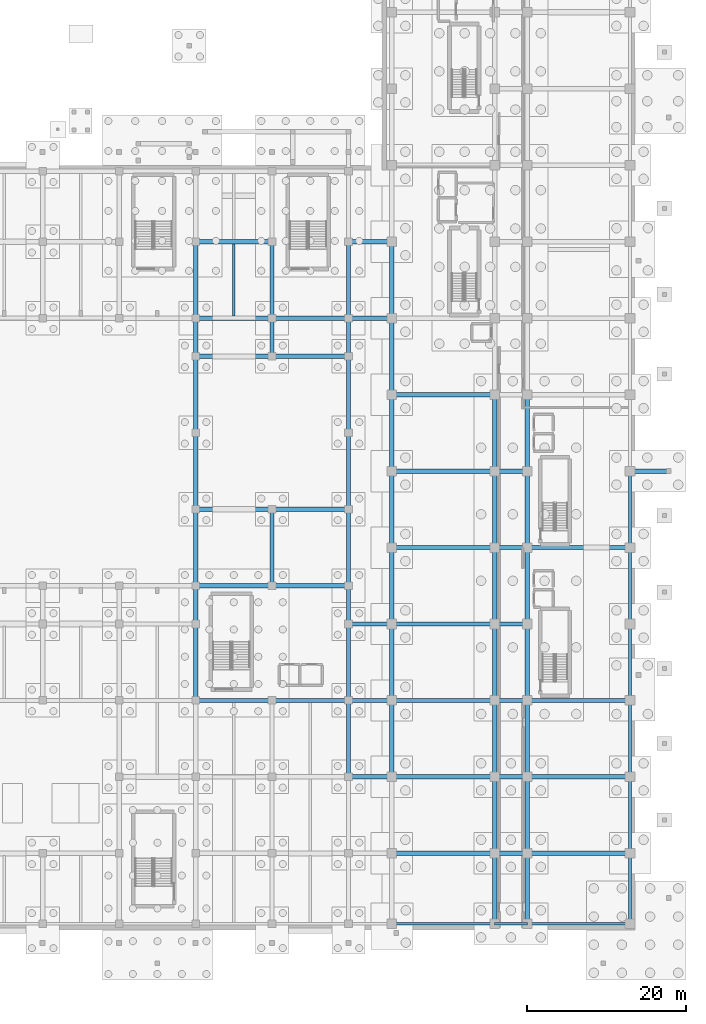
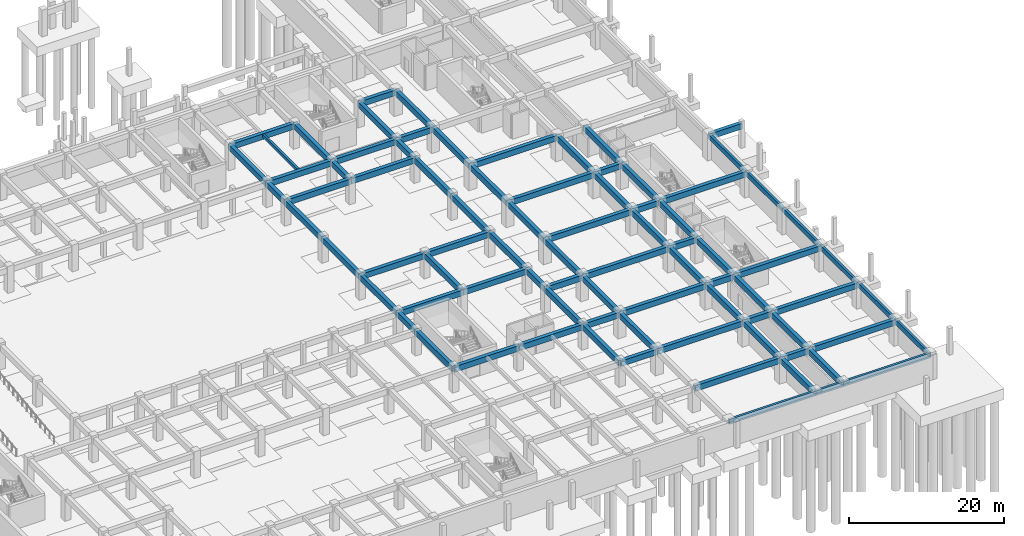
# One storey, part 13 of 39: 83 beams.
"""IFC4 building model written with IfcOpenShell, lengths in metres."""

import ifcopenshell
import ifcopenshell.guid

model = None  # the IFC model being written
_history = None  # IfcOwnerHistory: only IFC2X3 demands one
_inside = {}  # id of a spatial element -> (the spatial element, [elements in it])
_under = {}  # id of a project, library or spatial element -> (it, [spatial elements below it])
_declared = {}  # id of a project -> (the project, [libraries it declares])
_typed = {}  # id of a type object -> (the type object, [elements of that type])
_made_of = {}  # id of a material, layer set ... -> (it, [elements and type objects made of it])


def new_model(schema):
    """Start an empty IFC model of exactly this schema.

    Asked for "IFC4X3", IfcOpenShell would pick the latest addendum, in which some entities
    have other attributes; the version numbers below select the first issue.
    IFC2X3 requires an IfcOwnerHistory on every rooted entity: one is made here for all.
    """
    global model, _history
    if schema == "IFC4X3":
        model = ifcopenshell.file(schema_version=(4, 3, 0, 0))
    else:
        model = ifcopenshell.file(schema=schema)
    _inside.clear()
    _under.clear()
    _declared.clear()
    _typed.clear()
    _made_of.clear()
    _history = None
    if model.schema == "IFC2X3":
        org = make("IfcOrganization", Name="unknown")
        user = make(
            "IfcPersonAndOrganization",
            ThePerson=make("IfcPerson", FamilyName="unknown"),
            TheOrganization=org,
        )
        app = make(
            "IfcApplication",
            ApplicationDeveloper=org,
            Version="unknown",
            ApplicationFullName="unknown",
            ApplicationIdentifier="unknown",
        )
        _history = make(
            "IfcOwnerHistory",
            OwningUser=user,
            OwningApplication=app,
            ChangeAction="ADDED",
            CreationDate=0,
        )
    return model


def make(cls, **values):
    """One entity of the class cls with the attributes given. An attribute that is None is left unset."""
    return model.create_entity(
        cls, **{name: value for name, value in values.items() if value is not None}
    )


def rooted(cls, **values):
    """An entity with a GlobalId (a new one), such as an element, a storey or a relation."""
    return make(cls, GlobalId=ifcopenshell.guid.new(), OwnerHistory=_history, **values)


def si_unit(unit_type, name, prefix=None):
    """IfcSIUnit, for example si_unit("LENGTHUNIT", "METRE", prefix="MILLI")."""
    return make("IfcSIUnit", UnitType=unit_type, Prefix=prefix, Name=name)


def assignment(units):
    """IfcUnitAssignment: the units of a project."""
    return None if units is None else make("IfcUnitAssignment", Units=units)


def point(xyz):
    """IfcCartesianPoint."""
    return None if xyz is None else make("IfcCartesianPoint", Coordinates=xyz)


def direction(xyz):
    """IfcDirection."""
    return None if xyz is None else make("IfcDirection", DirectionRatios=xyz)


def frame(location, z_axis=None, x_axis=None):
    """IfcAxis2Placement3D, a coordinate frame: its origin and axes. An axis left out is left unset."""
    return make(
        "IfcAxis2Placement3D",
        Location=point(location),
        Axis=direction(z_axis),
        RefDirection=direction(x_axis),
    )


def frame_2d(location, x_axis=None):
    """IfcAxis2Placement2D, a coordinate frame in the plane: its origin and x axis."""
    return make(
        "IfcAxis2Placement2D", Location=point(location), RefDirection=direction(x_axis)
    )


def origin():
    """The frame at (0, 0, 0) with its axes left unset."""
    return frame((0.0, 0.0, 0.0))


def origin_2d():
    """The frame at (0, 0) in the plane with its x axis left unset."""
    return frame_2d((0.0, 0.0))


def place(relative_to, where):
    """IfcLocalPlacement: puts the frame where relative to a parent placement (None: the world)."""
    return make(
        "IfcLocalPlacement", PlacementRelTo=relative_to, RelativePlacement=where
    )


def context(
    kind, dimensions, precision=None, world=None, true_north=None, identifier=None
):
    """IfcGeometricRepresentationContext, for example the 3D "Model" context."""
    return make(
        "IfcGeometricRepresentationContext",
        ContextIdentifier=identifier,
        ContextType=kind,
        CoordinateSpaceDimension=dimensions,
        Precision=precision,
        WorldCoordinateSystem=world,
        TrueNorth=true_north,
    )


def subcontext(parent, identifier, kind, view, scale=None):
    """IfcGeometricRepresentationSubContext, for example "Body" below "Model"."""
    return make(
        "IfcGeometricRepresentationSubContext",
        ContextIdentifier=identifier,
        ContextType=kind,
        ParentContext=parent,
        TargetScale=scale,
        TargetView=view,
    )


def project(units=None, contexts=None):
    """IfcProject with its units and contexts."""
    return rooted(
        "IfcProject",
        Name="project",
        RepresentationContexts=contexts,
        UnitsInContext=assignment(units),
    )


def spatial(cls, under=None, at=None, **own):
    """A site, building, storey or space (cls), placed at a placement, below another one or the project."""
    s = rooted(cls, ObjectPlacement=at, **own)
    if under is not None:
        _under.setdefault(under.id(), (under, []))[1].append(s)
    return s


def profile(cls, at=None, kind="AREA", **sizes):
    """A parametric profile (cls). Its sizes go by their IFC names, for example OverallWidth=200.0."""
    return make(cls, ProfileType=kind, Position=at, **sizes)


def rectangle(**sizes):
    """IfcRectangleProfileDef."""
    return profile("IfcRectangleProfileDef", **sizes)


def extrude(swept, where, along, depth):
    """IfcExtrudedAreaSolid: the profile swept, set in the frame where, extruded along a direction by depth."""
    return make(
        "IfcExtrudedAreaSolid",
        SweptArea=swept,
        Position=where,
        ExtrudedDirection=direction(along),
        Depth=depth,
    )


def shape(context_of_items, identifier, shape_type, items):
    """IfcShapeRepresentation: the items that make up one representation, for example the "Body"."""
    return make(
        "IfcShapeRepresentation",
        ContextOfItems=context_of_items,
        RepresentationIdentifier=identifier,
        RepresentationType=shape_type,
        Items=items,
    )


def material(Name=None, Category=None):
    """IfcMaterial."""
    return make("IfcMaterial", Name=Name, Category=Category)


def material_profile(
    of_material, cross_section, Name=None, Category=None, Priority=None
):
    """IfcMaterialProfile: a cross section and its material."""
    return make(
        "IfcMaterialProfile",
        Name=Name,
        Material=of_material,
        Profile=cross_section,
        Priority=Priority,
        Category=Category,
    )


def profile_set(profiles, Name=None, composite=None):
    """IfcMaterialProfileSet."""
    return make(
        "IfcMaterialProfileSet",
        Name=Name,
        MaterialProfiles=profiles,
        CompositeProfile=composite,
    )


def made_of(thing, what):
    """Note that an element or type object is made of a material, layer set ...; save() writes the relation."""
    if what is not None:
        _made_of.setdefault(what.id(), (what, []))[1].append(thing)
    return thing


def type_object(cls, material=None, **own):
    """A type object (cls), such as IfcWallType, which elements share."""
    return made_of(rooted(cls, **own), material)


def element(
    cls,
    number,
    at=None,
    inside=None,
    cuts=None,
    type_object=None,
    material=None,
    context=None,
    identifier="Body",
    shape_type=None,
    held_by="IfcProductDefinitionShape",
    body=None,
    shapes=None,
    **own,
):
    """One element of the class cls, such as IfcWall. Its Tag is "e" and its number.

    at: its placement. inside: the storey or other place that contains it. cuts: it is an
    opening in that element (IfcRelVoidsElement). A single representation is given by context,
    identifier, shape_type and body (its items); several are given by shapes. held_by: the class
    of the entity that holds the representations. save() writes the other relations.
    """
    e = rooted(cls, Tag="e%d" % number, ObjectPlacement=at, **own)
    if body is not None:
        shapes = [shape(context, identifier, shape_type, body)]
    if shapes is not None:
        e.Representation = make(held_by, Representations=shapes)
    if inside is not None:
        _inside.setdefault(inside.id(), (inside, []))[1].append(e)
    if cuts is not None:
        rooted(
            "IfcRelVoidsElement", RelatingBuildingElement=cuts, RelatedOpeningElement=e
        )
    if type_object is not None:
        _typed.setdefault(type_object.id(), (type_object, []))[1].append(e)
    return made_of(e, material)


def aggregate(whole, parts):
    """IfcRelAggregates: a whole, such as a stair, and the parts it consists of."""
    return rooted("IfcRelAggregates", RelatingObject=whole, RelatedObjects=parts)


def save(model, path):
    """Write the relations noted so far, then the file.

    IfcRelAggregates (storeys below a building ...), IfcRelContainedInSpatialStructure (elements
    in a storey), IfcRelDefinesByType, IfcRelAssociatesMaterial and IfcRelDeclares: one each for
    every whole, place, type object, material and project.
    """
    for whole, parts in _under.values():
        aggregate(whole, parts)
    for where, things in _inside.values():
        rooted(
            "IfcRelContainedInSpatialStructure",
            RelatedElements=things,
            RelatingStructure=where,
        )
    for kind, things in _typed.values():
        rooted("IfcRelDefinesByType", RelatedObjects=things, RelatingType=kind)
    for what, things in _made_of.values():
        rooted("IfcRelAssociatesMaterial", RelatedObjects=things, RelatingMaterial=what)
    for by, libraries in _declared.values():
        rooted("IfcRelDeclares", RelatingContext=by, RelatedDefinitions=libraries)
    model.write(path)


model = new_model("IFC4")

# Units and contexts
model_context = context("Model", 3, precision=1e-05, world=origin(), true_north=direction((0.0, 1.0)))
body_context = subcontext(model_context, "Body", "Model", "MODEL_VIEW")
ifc_project = project(units=[si_unit("LENGTHUNIT", "METRE"), si_unit("AREAUNIT", "SQUARE_METRE"), si_unit("VOLUMEUNIT", "CUBIC_METRE"), si_unit("PLANEANGLEUNIT", "RADIAN"), si_unit("MASSUNIT", "GRAM", prefix="KILO")], contexts=[model_context])

# Site, building, storey
site_placement = place(None, origin())
site = spatial("IfcSite", under=ifc_project, at=site_placement, CompositionType="ELEMENT")
building_placement = place(site_placement, origin())
building = spatial("IfcBuilding", under=site, at=building_placement, Name="Nakhvara Creek Congress Hotel", CompositionType="ELEMENT")
storey_placement = place(building_placement, frame((0.0, 0.0, -8.39990234375)))
storey = spatial("IfcBuildingStorey", under=building, at=storey_placement, Name="B2", CompositionType="ELEMENT", Elevation=-8.39990234375)

# Beams
ifc_material_1 = material(Name="Concrete C40/50", Category="concrete")
ifc_material_profile_1 = material_profile(ifc_material_1, rectangle(XDim=0.300048828125, YDim=0.5, at=origin_2d()), Name="RC-BM 300x500", Category="LoadBearing")
ifc_profile_set_1 = profile_set([ifc_material_profile_1], Name="Concrete C40/50")
beam_type_1 = type_object("IfcBeamType", Name="BM-JST-300X500", PredefinedType="JOIST", material=ifc_profile_set_1)
beam_1_placement = place(storey_placement, frame((129.60009765625, 77.074951171875, 3.60986328125), z_axis=(0.0, 1.0, 0.0), x_axis=(-1.0, 0.0, 0.0)))
element("IfcBeam", 1, at=beam_1_placement, inside=storey, type_object=beam_type_1, Name="Secondary Joist BJ1-B2-0359", PredefinedType="JOIST", context=body_context, shape_type="SweptSolid", body=[
    extrude(rectangle(XDim=0.300048828125, YDim=0.5, at=origin_2d()), origin(), (0.0, 0.0, 1.0), 9.050048828125),
])
ifc_material_2 = material(Name="Concrete C50/60", Category="concrete")
ifc_material_profile_2 = material_profile(ifc_material_2, rectangle(XDim=0.550048828125, YDim=0.8798828125, at=origin_2d()), Name="RC-BM 550x880", Category="LoadBearing")
ifc_profile_set_2 = profile_set([ifc_material_profile_2], Name="Concrete C50/60")
beam_type_2 = type_object("IfcBeamType", Name="BM-RC-550X880", PredefinedType="BEAM", material=ifc_profile_set_2)
for number, where, z_axis, x_axis, name in (
    (2, (124.800048828125, 28.800048828125, 3.419921875), (0.0, 1.0, 0.0), (-1.0, 0.0, 0.0), "Beam B15-B2-0184"),
    (3, (124.800048828125, 28.800048828125, 3.419921875), (1.0, 0.0, 0.0), (0.0, 1.0, 0.0), "Beam B15-B2-0185"),
):
    element("IfcBeam", number, at=place(storey_placement, frame(where, z_axis=z_axis, x_axis=x_axis)), inside=storey, type_object=beam_type_2, Name=name, PredefinedType="BEAM", context=body_context, shape_type="SweptSolid", body=[
        extrude(rectangle(XDim=0.550048828125, YDim=0.8798828125, at=origin_2d()), origin(), (0.0, 0.0, 1.0), 9.599853515625),
    ])
beam_2_placement = place(storey_placement, frame((124.800048828125, 38.39990234375, 3.419921875), z_axis=(0.0, 1.0, 0.0), x_axis=(-1.0, 0.0, 0.0)))
element("IfcBeam", 4, at=beam_2_placement, inside=storey, type_object=beam_type_2, Name="Beam B15-B2-0186", PredefinedType="BEAM", context=body_context, shape_type="SweptSolid", body=[
    extrude(rectangle(XDim=0.550048828125, YDim=0.8798828125, at=origin_2d()), origin(), (0.0, 0.0, 1.0), 4.800048828125),
])
beam_3_placement = place(storey_placement, frame((124.800048828125, 43.199951171875, 3.419921875), z_axis=(0.0, 1.0, 0.0), x_axis=(-1.0, 0.0, 0.0)))
element("IfcBeam", 5, at=beam_3_placement, inside=storey, type_object=beam_type_2, Name="Beam B15-B2-0187", PredefinedType="BEAM", context=body_context, shape_type="SweptSolid", body=[
    extrude(rectangle(XDim=0.550048828125, YDim=0.8798828125, at=origin_2d()), origin(), (0.0, 0.0, 1.0), 9.60009765625),
])
for number, where, z_axis, x_axis, name in (
    (6, (124.800048828125, 43.199951171875, 3.419921875), (1.0, 0.0, 0.0), (0.0, 1.0, 0.0), "Beam B15-B2-0188"),
    (7, (124.800048828125, 52.800048828125, 3.419921875), (0.0, 1.0, 0.0), (-1.0, 0.0, 0.0), "Beam B15-B2-0189"),
    (8, (124.800048828125, 52.800048828125, 3.419921875), (1.0, 0.0, 0.0), (0.0, 1.0, 0.0), "Beam B15-B2-0190"),
):
    element("IfcBeam", number, at=place(storey_placement, frame(where, z_axis=z_axis, x_axis=x_axis)), inside=storey, type_object=beam_type_2, Name=name, PredefinedType="BEAM", context=body_context, shape_type="SweptSolid", body=[
        extrude(rectangle(XDim=0.550048828125, YDim=0.8798828125, at=origin_2d()), origin(), (0.0, 0.0, 1.0), 9.599853515625),
    ])
beam_4_placement = place(storey_placement, frame((124.800048828125, 62.39990234375, 3.419921875), z_axis=(0.0, 1.0, 0.0), x_axis=(-1.0, 0.0, 0.0)))
element("IfcBeam", 9, at=beam_4_placement, inside=storey, type_object=beam_type_2, Name="Beam B15-B2-0191", PredefinedType="BEAM", context=body_context, shape_type="SweptSolid", body=[
    extrude(rectangle(XDim=0.550048828125, YDim=0.8798828125, at=origin_2d()), origin(), (0.0, 0.0, 1.0), 9.60009765625),
])
beam_5_placement = place(storey_placement, frame((124.800048828125, 72.0, 3.419921875), z_axis=(0.0, 1.0, 0.0), x_axis=(-1.0, 0.0, 0.0)))
element("IfcBeam", 10, at=beam_5_placement, inside=storey, type_object=beam_type_2, Name="Beam B15-B2-0192", PredefinedType="BEAM", context=body_context, shape_type="SweptSolid", body=[
    extrude(rectangle(XDim=0.550048828125, YDim=0.8798828125, at=origin_2d()), origin(), (0.0, 0.0, 1.0), 4.800048828125),
])
for number, where, z_axis, x_axis, name in (
    (11, (124.800048828125, 72.0, 3.419921875), (1.0, 0.0, 0.0), (0.0, 1.0, 0.0), "Beam B15-B2-0193"),
    (12, (124.800048828125, 76.800048828125, 3.419921875), (0.0, 1.0, 0.0), (-1.0, 0.0, 0.0), "Beam B15-B2-0194"),
    (13, (124.800048828125, 76.800048828125, 3.419921875), (1.0, 0.0, 0.0), (0.0, 1.0, 0.0), "Beam B15-B2-0195"),
    (14, (124.800048828125, 86.39990234375, 3.419921875), (1.0, 0.0, 0.0), (0.0, 1.0, 0.0), "Beam B15-B2-0197"),
):
    element("IfcBeam", number, at=place(storey_placement, frame(where, z_axis=z_axis, x_axis=x_axis)), inside=storey, type_object=beam_type_2, Name=name, PredefinedType="BEAM", context=body_context, shape_type="SweptSolid", body=[
        extrude(rectangle(XDim=0.550048828125, YDim=0.8798828125, at=origin_2d()), origin(), (0.0, 0.0, 1.0), 9.599853515625),
    ])
for number, where, z_axis, x_axis, name in (
    (15, (134.39990234375, 28.800048828125, 3.419921875), (1.0, 0.0, 0.0), (0.0, 1.0, 0.0), "Beam B15-B2-0205"),
    (16, (134.39990234375, 43.199951171875, 3.419921875), (0.0, 1.0, 0.0), (-1.0, 0.0, 0.0), "Beam B15-B2-0206"),
    (17, (134.39990234375, 43.199951171875, 3.419921875), (1.0, 0.0, 0.0), (0.0, 1.0, 0.0), "Beam B15-B2-0207"),
    (18, (134.39990234375, 52.800048828125, 3.419921875), (1.0, 0.0, 0.0), (0.0, 1.0, 0.0), "Beam B15-B2-0208"),
):
    element("IfcBeam", number, at=place(storey_placement, frame(where, z_axis=z_axis, x_axis=x_axis)), inside=storey, type_object=beam_type_2, Name=name, PredefinedType="BEAM", context=body_context, shape_type="SweptSolid", body=[
        extrude(rectangle(XDim=0.550048828125, YDim=0.8798828125, at=origin_2d()), origin(), (0.0, 0.0, 1.0), 9.60009765625),
    ])
beam_6_placement = place(storey_placement, frame((134.39990234375, 72.0, 3.419921875), z_axis=(0.0, 1.0, 0.0), x_axis=(-1.0, 0.0, 0.0)))
element("IfcBeam", 19, at=beam_6_placement, inside=storey, type_object=beam_type_2, Name="Beam B15-B2-0209", PredefinedType="BEAM", context=body_context, shape_type="SweptSolid", body=[
    extrude(rectangle(XDim=0.550048828125, YDim=0.8798828125, at=origin_2d()), origin(), (0.0, 0.0, 1.0), 4.800048828125),
])
beam_7_placement = place(storey_placement, frame((134.39990234375, 72.0, 3.419921875), z_axis=(1.0, 0.0, 0.0), x_axis=(0.0, 1.0, 0.0)))
element("IfcBeam", 20, at=beam_7_placement, inside=storey, type_object=beam_type_2, Name="Beam B15-B2-0210", PredefinedType="BEAM", context=body_context, shape_type="SweptSolid", body=[
    extrude(rectangle(XDim=0.550048828125, YDim=0.8798828125, at=origin_2d()), origin(), (0.0, 0.0, 1.0), 9.60009765625),
])
beam_8_placement = place(storey_placement, frame((134.39990234375, 76.800048828125, 3.419921875), z_axis=(0.0, 1.0, 0.0), x_axis=(-1.0, 0.0, 0.0)))
element("IfcBeam", 21, at=beam_8_placement, inside=storey, type_object=beam_type_2, Name="Beam B15-B2-0211", PredefinedType="BEAM", context=body_context, shape_type="SweptSolid", body=[
    extrude(rectangle(XDim=0.550048828125, YDim=0.8798828125, at=origin_2d()), origin(), (0.0, 0.0, 1.0), 9.599853515625),
])
for number, where, z_axis, x_axis, name in (
    (22, (134.39990234375, 76.800048828125, 3.419921875), (1.0, 0.0, 0.0), (0.0, 1.0, 0.0), "Beam B15-B2-0212"),
    (23, (144.0, 19.199951171875, 3.419921875), (0.0, 1.0, 0.0), (-1.0, 0.0, 0.0), "Beam B15-B2-0219"),
):
    element("IfcBeam", number, at=place(storey_placement, frame(where, z_axis=z_axis, x_axis=x_axis)), inside=storey, type_object=beam_type_2, Name=name, PredefinedType="BEAM", context=body_context, shape_type="SweptSolid", body=[
        extrude(rectangle(XDim=0.550048828125, YDim=0.8798828125, at=origin_2d()), origin(), (0.0, 0.0, 1.0), 9.60009765625),
    ])
beam_9_placement = place(storey_placement, frame((144.0, 19.199951171875, 3.419921875), z_axis=(1.0, 0.0, 0.0), x_axis=(0.0, 1.0, 0.0)))
element("IfcBeam", 24, at=beam_9_placement, inside=storey, type_object=beam_type_2, Name="Beam B15-B2-0220", PredefinedType="BEAM", context=body_context, shape_type="SweptSolid", body=[
    extrude(rectangle(XDim=0.550048828125, YDim=0.8798828125, at=origin_2d()), origin(), (0.0, 0.0, 1.0), 5.449951171875),
])
beam_10_placement = place(storey_placement, frame((144.0, 28.800048828125, 3.419921875), z_axis=(0.0, 1.0, 0.0), x_axis=(-1.0, 0.0, 0.0)))
element("IfcBeam", 25, at=beam_10_placement, inside=storey, type_object=beam_type_2, Name="Beam B15-B2-0221", PredefinedType="BEAM", context=body_context, shape_type="SweptSolid", body=[
    extrude(rectangle(XDim=0.550048828125, YDim=0.8798828125, at=origin_2d()), origin(), (0.0, 0.0, 1.0), 9.599853515625),
])
beam_11_placement = place(storey_placement, frame((144.0, 28.800048828125, 3.419921875), z_axis=(1.0, 0.0, 0.0), x_axis=(0.0, 1.0, 0.0)))
element("IfcBeam", 26, at=beam_11_placement, inside=storey, type_object=beam_type_2, Name="Beam B15-B2-0222", PredefinedType="BEAM", context=body_context, shape_type="SweptSolid", body=[
    extrude(rectangle(XDim=0.550048828125, YDim=0.8798828125, at=origin_2d()), origin(), (0.0, 0.0, 1.0), 5.449951171875),
])
beam_12_placement = place(storey_placement, frame((144.0, 38.39990234375, 3.419921875), z_axis=(0.0, 1.0, 0.0), x_axis=(-1.0, 0.0, 0.0)))
element("IfcBeam", 27, at=beam_12_placement, inside=storey, type_object=beam_type_2, Name="Beam B15-B2-0223", PredefinedType="BEAM", context=body_context, shape_type="SweptSolid", body=[
    extrude(rectangle(XDim=0.550048828125, YDim=0.8798828125, at=origin_2d()), origin(), (0.0, 0.0, 1.0), 4.800048828125),
])
beam_13_placement = place(storey_placement, frame((144.0, 38.39990234375, 3.419921875), z_axis=(1.0, 0.0, 0.0), x_axis=(0.0, 1.0, 0.0)))
element("IfcBeam", 28, at=beam_13_placement, inside=storey, type_object=beam_type_2, Name="Beam B15-B2-0224", PredefinedType="BEAM", context=body_context, shape_type="SweptSolid", body=[
    extrude(rectangle(XDim=0.550048828125, YDim=0.8798828125, at=origin_2d()), origin(), (0.0, 0.0, 1.0), 5.449951171875),
])
beam_14_placement = place(storey_placement, frame((144.0, 43.199951171875, 3.419921875), z_axis=(0.0, 1.0, 0.0), x_axis=(-1.0, 0.0, 0.0)))
element("IfcBeam", 29, at=beam_14_placement, inside=storey, type_object=beam_type_2, Name="Beam B15-B2-0225", PredefinedType="BEAM", context=body_context, shape_type="SweptSolid", body=[
    extrude(rectangle(XDim=0.550048828125, YDim=0.8798828125, at=origin_2d()), origin(), (0.0, 0.0, 1.0), 9.60009765625),
])
beam_15_placement = place(storey_placement, frame((144.0, 52.800048828125, 3.419921875), z_axis=(0.0, 1.0, 0.0), x_axis=(-1.0, 0.0, 0.0)))
element("IfcBeam", 30, at=beam_15_placement, inside=storey, type_object=beam_type_2, Name="Beam B15-B2-0226", PredefinedType="BEAM", context=body_context, shape_type="SweptSolid", body=[
    extrude(rectangle(XDim=0.550048828125, YDim=0.8798828125, at=origin_2d()), origin(), (0.0, 0.0, 1.0), 9.599853515625),
])
beam_16_placement = place(storey_placement, frame((144.0, 62.39990234375, 3.419921875), z_axis=(0.0, 1.0, 0.0), x_axis=(-1.0, 0.0, 0.0)))
element("IfcBeam", 31, at=beam_16_placement, inside=storey, type_object=beam_type_2, Name="Beam B15-B2-0227", PredefinedType="BEAM", context=body_context, shape_type="SweptSolid", body=[
    extrude(rectangle(XDim=0.550048828125, YDim=0.8798828125, at=origin_2d()), origin(), (0.0, 0.0, 1.0), 9.60009765625),
])
beam_17_placement = place(storey_placement, frame((144.0, 72.0, 3.419921875), z_axis=(0.0, 1.0, 0.0), x_axis=(-1.0, 0.0, 0.0)))
element("IfcBeam", 32, at=beam_17_placement, inside=storey, type_object=beam_type_2, Name="Beam B15-B2-0228", PredefinedType="BEAM", context=body_context, shape_type="SweptSolid", body=[
    extrude(rectangle(XDim=0.550048828125, YDim=0.8798828125, at=origin_2d()), origin(), (0.0, 0.0, 1.0), 4.800048828125),
])
beam_18_placement = place(storey_placement, frame((144.0, 76.800048828125, 3.419921875), z_axis=(0.0, 1.0, 0.0), x_axis=(-1.0, 0.0, 0.0)))
element("IfcBeam", 33, at=beam_18_placement, inside=storey, type_object=beam_type_2, Name="Beam B15-B2-0229", PredefinedType="BEAM", context=body_context, shape_type="SweptSolid", body=[
    extrude(rectangle(XDim=0.550048828125, YDim=0.8798828125, at=origin_2d()), origin(), (0.0, 0.0, 1.0), 9.599853515625),
])
for number, where, z_axis, x_axis, name in (
    (34, (144.0, 76.800048828125, 3.419921875), (1.0, 0.0, 0.0), (0.0, 1.0, 0.0), "Beam B15-B2-0230"),
    (35, (144.0, 86.39990234375, 3.419921875), (1.0, 0.0, 0.0), (0.0, 1.0, 0.0), "Beam B15-B2-0232"),
):
    element("IfcBeam", number, at=place(storey_placement, frame(where, z_axis=z_axis, x_axis=x_axis)), inside=storey, type_object=beam_type_2, Name=name, PredefinedType="BEAM", context=body_context, shape_type="SweptSolid", body=[
        extrude(rectangle(XDim=0.550048828125, YDim=0.8798828125, at=origin_2d()), origin(), (0.0, 0.0, 1.0), 5.449951171875),
    ])
beam_19_placement = place(storey_placement, frame((149.449951171875, 9.60009765625, 3.419921875), z_axis=(1.0, 0.0, 0.0), x_axis=(0.0, 1.0, 0.0)))
element("IfcBeam", 36, at=beam_19_placement, inside=storey, type_object=beam_type_2, Name="Beam B15-B2-0237", PredefinedType="BEAM", context=body_context, shape_type="SweptSolid", body=[
    extrude(rectangle(XDim=0.550048828125, YDim=0.8798828125, at=origin_2d()), origin(), (0.0, 0.0, 1.0), 12.900146484375),
])
beam_20_placement = place(storey_placement, frame((149.449951171875, 19.199951171875, 3.419921875), z_axis=(0.0, 1.0, 0.0), x_axis=(-1.0, 0.0, 0.0)))
element("IfcBeam", 37, at=beam_20_placement, inside=storey, type_object=beam_type_2, Name="Beam B15-B2-0238", PredefinedType="BEAM", context=body_context, shape_type="SweptSolid", body=[
    extrude(rectangle(XDim=0.550048828125, YDim=0.8798828125, at=origin_2d()), origin(), (0.0, 0.0, 1.0), 9.60009765625),
])
beam_21_placement = place(storey_placement, frame((149.449951171875, 19.199951171875, 3.419921875), z_axis=(1.0, 0.0, 0.0), x_axis=(0.0, 1.0, 0.0)))
element("IfcBeam", 38, at=beam_21_placement, inside=storey, type_object=beam_type_2, Name="Beam B15-B2-0239", PredefinedType="BEAM", context=body_context, shape_type="SweptSolid", body=[
    extrude(rectangle(XDim=0.550048828125, YDim=0.8798828125, at=origin_2d()), origin(), (0.0, 0.0, 1.0), 12.900146484375),
])
beam_22_placement = place(storey_placement, frame((149.449951171875, 28.800048828125, 3.419921875), z_axis=(0.0, 1.0, 0.0), x_axis=(-1.0, 0.0, 0.0)))
element("IfcBeam", 39, at=beam_22_placement, inside=storey, type_object=beam_type_2, Name="Beam B15-B2-0240", PredefinedType="BEAM", context=body_context, shape_type="SweptSolid", body=[
    extrude(rectangle(XDim=0.550048828125, YDim=0.8798828125, at=origin_2d()), origin(), (0.0, 0.0, 1.0), 9.599853515625),
])
beam_23_placement = place(storey_placement, frame((149.449951171875, 28.800048828125, 3.419921875), z_axis=(1.0, 0.0, 0.0), x_axis=(0.0, 1.0, 0.0)))
element("IfcBeam", 40, at=beam_23_placement, inside=storey, type_object=beam_type_2, Name="Beam B15-B2-0241", PredefinedType="BEAM", context=body_context, shape_type="SweptSolid", body=[
    extrude(rectangle(XDim=0.550048828125, YDim=0.8798828125, at=origin_2d()), origin(), (0.0, 0.0, 1.0), 12.900146484375),
])
beam_24_placement = place(storey_placement, frame((149.449951171875, 38.39990234375, 3.419921875), z_axis=(0.0, 1.0, 0.0), x_axis=(-1.0, 0.0, 0.0)))
element("IfcBeam", 41, at=beam_24_placement, inside=storey, type_object=beam_type_2, Name="Beam B15-B2-0242", PredefinedType="BEAM", context=body_context, shape_type="SweptSolid", body=[
    extrude(rectangle(XDim=0.550048828125, YDim=0.8798828125, at=origin_2d()), origin(), (0.0, 0.0, 1.0), 9.60009765625),
])
beam_25_placement = place(storey_placement, frame((149.449951171875, 38.39990234375, 3.419921875), z_axis=(1.0, 0.0, 0.0), x_axis=(0.0, 1.0, 0.0)))
element("IfcBeam", 42, at=beam_25_placement, inside=storey, type_object=beam_type_2, Name="Beam B15-B2-0243", PredefinedType="BEAM", context=body_context, shape_type="SweptSolid", body=[
    extrude(rectangle(XDim=0.550048828125, YDim=0.8798828125, at=origin_2d()), origin(), (0.0, 0.0, 1.0), 12.900146484375),
])
beam_26_placement = place(storey_placement, frame((149.449951171875, 48.0, 3.419921875), z_axis=(0.0, 1.0, 0.0), x_axis=(-1.0, 0.0, 0.0)))
element("IfcBeam", 43, at=beam_26_placement, inside=storey, type_object=beam_type_2, Name="Beam B15-B2-0244", PredefinedType="BEAM", context=body_context, shape_type="SweptSolid", body=[
    extrude(rectangle(XDim=0.550048828125, YDim=0.8798828125, at=origin_2d()), origin(), (0.0, 0.0, 1.0), 9.60009765625),
])
beam_27_placement = place(storey_placement, frame((149.449951171875, 48.0, 3.419921875), z_axis=(1.0, 0.0, 0.0), x_axis=(0.0, 1.0, 0.0)))
element("IfcBeam", 44, at=beam_27_placement, inside=storey, type_object=beam_type_2, Name="Beam B15-B2-0245", PredefinedType="BEAM", context=body_context, shape_type="SweptSolid", body=[
    extrude(rectangle(XDim=0.550048828125, YDim=0.8798828125, at=origin_2d()), origin(), (0.0, 0.0, 1.0), 12.900146484375),
])
beam_28_placement = place(storey_placement, frame((149.449951171875, 57.60009765625, 3.419921875), z_axis=(0.0, 1.0, 0.0), x_axis=(-1.0, 0.0, 0.0)))
element("IfcBeam", 45, at=beam_28_placement, inside=storey, type_object=beam_type_2, Name="Beam B15-B2-0246", PredefinedType="BEAM", context=body_context, shape_type="SweptSolid", body=[
    extrude(rectangle(XDim=0.550048828125, YDim=0.8798828125, at=origin_2d()), origin(), (0.0, 0.0, 1.0), 9.599853515625),
])
beam_29_placement = place(storey_placement, frame((149.449951171875, 57.60009765625, 3.419921875), z_axis=(1.0, 0.0, 0.0), x_axis=(0.0, 1.0, 0.0)))
element("IfcBeam", 46, at=beam_29_placement, inside=storey, type_object=beam_type_2, Name="Beam B15-B2-0247", PredefinedType="BEAM", context=body_context, shape_type="SweptSolid", body=[
    extrude(rectangle(XDim=0.550048828125, YDim=0.8798828125, at=origin_2d()), origin(), (0.0, 0.0, 1.0), 12.900146484375),
])
beam_30_placement = place(storey_placement, frame((149.449951171875, 67.199951171875, 3.419921875), z_axis=(0.0, 1.0, 0.0), x_axis=(-1.0, 0.0, 0.0)))
element("IfcBeam", 47, at=beam_30_placement, inside=storey, type_object=beam_type_2, Name="Beam B15-B2-0248", PredefinedType="BEAM", context=body_context, shape_type="SweptSolid", body=[
    extrude(rectangle(XDim=0.550048828125, YDim=0.8798828125, at=origin_2d()), origin(), (0.0, 0.0, 1.0), 9.60009765625),
])
beam_31_placement = place(storey_placement, frame((149.449951171875, 67.199951171875, 3.419921875), z_axis=(1.0, 0.0, 0.0), x_axis=(0.0, 1.0, 0.0)))
element("IfcBeam", 48, at=beam_31_placement, inside=storey, type_object=beam_type_2, Name="Beam B15-B2-0249", PredefinedType="BEAM", context=body_context, shape_type="SweptSolid", body=[
    extrude(rectangle(XDim=0.550048828125, YDim=0.8798828125, at=origin_2d()), origin(), (0.0, 0.0, 1.0), 12.900146484375),
])
beam_32_placement = place(storey_placement, frame((149.449951171875, 76.800048828125, 3.419921875), z_axis=(0.0, 1.0, 0.0), x_axis=(-1.0, 0.0, 0.0)))
element("IfcBeam", 49, at=beam_32_placement, inside=storey, type_object=beam_type_2, Name="Beam B15-B2-0250", PredefinedType="BEAM", context=body_context, shape_type="SweptSolid", body=[
    extrude(rectangle(XDim=0.550048828125, YDim=0.8798828125, at=origin_2d()), origin(), (0.0, 0.0, 1.0), 9.599853515625),
])
beam_33_placement = place(storey_placement, frame((162.35009765625, 0.75, 3.419921875), z_axis=(0.0, 1.0, 0.0), x_axis=(-1.0, 0.0, 0.0)))
element("IfcBeam", 50, at=beam_33_placement, inside=storey, type_object=beam_type_2, Name="Beam B15-B2-0259", PredefinedType="BEAM", context=body_context, shape_type="SweptSolid", body=[
    extrude(rectangle(XDim=0.550048828125, YDim=0.8798828125, at=origin_2d()), origin(), (0.0, 0.0, 1.0), 8.85009765625),
])
beam_34_placement = place(storey_placement, frame((162.35009765625, 9.60009765625, 3.419921875), z_axis=(0.0, 1.0, 0.0), x_axis=(-1.0, 0.0, 0.0)))
element("IfcBeam", 51, at=beam_34_placement, inside=storey, type_object=beam_type_2, Name="Beam B15-B2-0261", PredefinedType="BEAM", context=body_context, shape_type="SweptSolid", body=[
    extrude(rectangle(XDim=0.550048828125, YDim=0.8798828125, at=origin_2d()), origin(), (0.0, 0.0, 1.0), 9.599853515625),
])
beam_35_placement = place(storey_placement, frame((162.35009765625, 9.60009765625, 3.419921875), z_axis=(1.0, 0.0, 0.0), x_axis=(0.0, 1.0, 0.0)))
element("IfcBeam", 52, at=beam_35_placement, inside=storey, type_object=beam_type_2, Name="Beam B15-B2-0262", PredefinedType="BEAM", context=body_context, shape_type="SweptSolid", body=[
    extrude(rectangle(XDim=0.550048828125, YDim=0.8798828125, at=origin_2d()), origin(), (0.0, 0.0, 1.0), 4.099853515625),
])
beam_36_placement = place(storey_placement, frame((162.35009765625, 19.199951171875, 3.419921875), z_axis=(0.0, 1.0, 0.0), x_axis=(-1.0, 0.0, 0.0)))
element("IfcBeam", 53, at=beam_36_placement, inside=storey, type_object=beam_type_2, Name="Beam B15-B2-0263", PredefinedType="BEAM", context=body_context, shape_type="SweptSolid", body=[
    extrude(rectangle(XDim=0.550048828125, YDim=0.8798828125, at=origin_2d()), origin(), (0.0, 0.0, 1.0), 9.60009765625),
])
beam_37_placement = place(storey_placement, frame((162.35009765625, 19.199951171875, 3.419921875), z_axis=(1.0, 0.0, 0.0), x_axis=(0.0, 1.0, 0.0)))
element("IfcBeam", 54, at=beam_37_placement, inside=storey, type_object=beam_type_2, Name="Beam B15-B2-0264", PredefinedType="BEAM", context=body_context, shape_type="SweptSolid", body=[
    extrude(rectangle(XDim=0.550048828125, YDim=0.8798828125, at=origin_2d()), origin(), (0.0, 0.0, 1.0), 4.099853515625),
])
beam_38_placement = place(storey_placement, frame((162.35009765625, 28.800048828125, 3.419921875), z_axis=(0.0, 1.0, 0.0), x_axis=(-1.0, 0.0, 0.0)))
element("IfcBeam", 55, at=beam_38_placement, inside=storey, type_object=beam_type_2, Name="Beam B15-B2-0265", PredefinedType="BEAM", context=body_context, shape_type="SweptSolid", body=[
    extrude(rectangle(XDim=0.550048828125, YDim=0.8798828125, at=origin_2d()), origin(), (0.0, 0.0, 1.0), 9.599853515625),
])
beam_39_placement = place(storey_placement, frame((162.35009765625, 28.800048828125, 3.419921875), z_axis=(1.0, 0.0, 0.0), x_axis=(0.0, 1.0, 0.0)))
element("IfcBeam", 56, at=beam_39_placement, inside=storey, type_object=beam_type_2, Name="Beam B15-B2-0266", PredefinedType="BEAM", context=body_context, shape_type="SweptSolid", body=[
    extrude(rectangle(XDim=0.550048828125, YDim=0.8798828125, at=origin_2d()), origin(), (0.0, 0.0, 1.0), 4.099853515625),
])
beam_40_placement = place(storey_placement, frame((162.35009765625, 38.39990234375, 3.419921875), z_axis=(0.0, 1.0, 0.0), x_axis=(-1.0, 0.0, 0.0)))
element("IfcBeam", 57, at=beam_40_placement, inside=storey, type_object=beam_type_2, Name="Beam B15-B2-0267", PredefinedType="BEAM", context=body_context, shape_type="SweptSolid", body=[
    extrude(rectangle(XDim=0.550048828125, YDim=0.8798828125, at=origin_2d()), origin(), (0.0, 0.0, 1.0), 9.60009765625),
])
beam_41_placement = place(storey_placement, frame((162.35009765625, 38.39990234375, 3.419921875), z_axis=(1.0, 0.0, 0.0), x_axis=(0.0, 1.0, 0.0)))
element("IfcBeam", 58, at=beam_41_placement, inside=storey, type_object=beam_type_2, Name="Beam B15-B2-0268", PredefinedType="BEAM", context=body_context, shape_type="SweptSolid", body=[
    extrude(rectangle(XDim=0.550048828125, YDim=0.8798828125, at=origin_2d()), origin(), (0.0, 0.0, 1.0), 4.099853515625),
])
beam_42_placement = place(storey_placement, frame((162.35009765625, 48.0, 3.419921875), z_axis=(0.0, 1.0, 0.0), x_axis=(-1.0, 0.0, 0.0)))
element("IfcBeam", 59, at=beam_42_placement, inside=storey, type_object=beam_type_2, Name="Beam B15-B2-0269", PredefinedType="BEAM", context=body_context, shape_type="SweptSolid", body=[
    extrude(rectangle(XDim=0.550048828125, YDim=0.8798828125, at=origin_2d()), origin(), (0.0, 0.0, 1.0), 9.60009765625),
])
beam_43_placement = place(storey_placement, frame((162.35009765625, 48.0, 3.419921875), z_axis=(1.0, 0.0, 0.0), x_axis=(0.0, 1.0, 0.0)))
element("IfcBeam", 60, at=beam_43_placement, inside=storey, type_object=beam_type_2, Name="Beam B15-B2-0270", PredefinedType="BEAM", context=body_context, shape_type="SweptSolid", body=[
    extrude(rectangle(XDim=0.550048828125, YDim=0.8798828125, at=origin_2d()), origin(), (0.0, 0.0, 1.0), 4.099853515625),
])
beam_44_placement = place(storey_placement, frame((162.35009765625, 57.60009765625, 3.419921875), z_axis=(0.0, 1.0, 0.0), x_axis=(-1.0, 0.0, 0.0)))
element("IfcBeam", 61, at=beam_44_placement, inside=storey, type_object=beam_type_2, Name="Beam B15-B2-0271", PredefinedType="BEAM", context=body_context, shape_type="SweptSolid", body=[
    extrude(rectangle(XDim=0.550048828125, YDim=0.8798828125, at=origin_2d()), origin(), (0.0, 0.0, 1.0), 9.599853515625),
])
beam_45_placement = place(storey_placement, frame((162.35009765625, 57.60009765625, 3.419921875), z_axis=(1.0, 0.0, 0.0), x_axis=(0.0, 1.0, 0.0)))
element("IfcBeam", 62, at=beam_45_placement, inside=storey, type_object=beam_type_2, Name="Beam B15-B2-0272", PredefinedType="BEAM", context=body_context, shape_type="SweptSolid", body=[
    extrude(rectangle(XDim=0.550048828125, YDim=0.8798828125, at=origin_2d()), origin(), (0.0, 0.0, 1.0), 4.099853515625),
])
beam_46_placement = place(storey_placement, frame((166.449951171875, 0.75, 3.419921875), z_axis=(0.0, 1.0, 0.0), x_axis=(-1.0, 0.0, 0.0)))
element("IfcBeam", 63, at=beam_46_placement, inside=storey, type_object=beam_type_2, Name="Beam B15-B2-0286", PredefinedType="BEAM", context=body_context, shape_type="SweptSolid", body=[
    extrude(rectangle(XDim=0.550048828125, YDim=0.8798828125, at=origin_2d()), origin(), (0.0, 0.0, 1.0), 8.85009765625),
])
beam_47_placement = place(storey_placement, frame((166.449951171875, 9.60009765625, 3.419921875), z_axis=(0.0, 1.0, 0.0), x_axis=(-1.0, 0.0, 0.0)))
element("IfcBeam", 64, at=beam_47_placement, inside=storey, type_object=beam_type_2, Name="Beam B15-B2-0288", PredefinedType="BEAM", context=body_context, shape_type="SweptSolid", body=[
    extrude(rectangle(XDim=0.550048828125, YDim=0.8798828125, at=origin_2d()), origin(), (0.0, 0.0, 1.0), 9.599853515625),
])
beam_48_placement = place(storey_placement, frame((166.449951171875, 9.60009765625, 3.419921875), z_axis=(1.0, 0.0, 0.0), x_axis=(0.0, 1.0, 0.0)))
element("IfcBeam", 65, at=beam_48_placement, inside=storey, type_object=beam_type_2, Name="Beam B15-B2-0289", PredefinedType="BEAM", context=body_context, shape_type="SweptSolid", body=[
    extrude(rectangle(XDim=0.550048828125, YDim=0.8798828125, at=origin_2d()), origin(), (0.0, 0.0, 1.0), 12.900146484375),
])
beam_49_placement = place(storey_placement, frame((166.449951171875, 19.199951171875, 3.419921875), z_axis=(0.0, 1.0, 0.0), x_axis=(-1.0, 0.0, 0.0)))
element("IfcBeam", 66, at=beam_49_placement, inside=storey, type_object=beam_type_2, Name="Beam B15-B2-0290", PredefinedType="BEAM", context=body_context, shape_type="SweptSolid", body=[
    extrude(rectangle(XDim=0.550048828125, YDim=0.8798828125, at=origin_2d()), origin(), (0.0, 0.0, 1.0), 9.60009765625),
])
beam_50_placement = place(storey_placement, frame((166.449951171875, 19.199951171875, 3.419921875), z_axis=(1.0, 0.0, 0.0), x_axis=(0.0, 1.0, 0.0)))
element("IfcBeam", 67, at=beam_50_placement, inside=storey, type_object=beam_type_2, Name="Beam B15-B2-0291", PredefinedType="BEAM", context=body_context, shape_type="SweptSolid", body=[
    extrude(rectangle(XDim=0.550048828125, YDim=0.8798828125, at=origin_2d()), origin(), (0.0, 0.0, 1.0), 12.900146484375),
])
beam_51_placement = place(storey_placement, frame((166.449951171875, 28.800048828125, 3.419921875), z_axis=(0.0, 1.0, 0.0), x_axis=(-1.0, 0.0, 0.0)))
element("IfcBeam", 68, at=beam_51_placement, inside=storey, type_object=beam_type_2, Name="Beam B15-B2-0292", PredefinedType="BEAM", context=body_context, shape_type="SweptSolid", body=[
    extrude(rectangle(XDim=0.550048828125, YDim=0.8798828125, at=origin_2d()), origin(), (0.0, 0.0, 1.0), 9.599853515625),
])
beam_52_placement = place(storey_placement, frame((166.449951171875, 28.800048828125, 3.419921875), z_axis=(1.0, 0.0, 0.0), x_axis=(0.0, 1.0, 0.0)))
element("IfcBeam", 69, at=beam_52_placement, inside=storey, type_object=beam_type_2, Name="Beam B15-B2-0293", PredefinedType="BEAM", context=body_context, shape_type="SweptSolid", body=[
    extrude(rectangle(XDim=0.550048828125, YDim=0.8798828125, at=origin_2d()), origin(), (0.0, 0.0, 1.0), 12.900146484375),
])
for number, where, z_axis, x_axis, name in (
    (70, (166.449951171875, 38.39990234375, 3.419921875), (0.0, 1.0, 0.0), (-1.0, 0.0, 0.0), "Beam B15-B2-0294"),
    (71, (166.449951171875, 48.0, 3.419921875), (0.0, 1.0, 0.0), (-1.0, 0.0, 0.0), "Beam B15-B2-0295"),
):
    element("IfcBeam", number, at=place(storey_placement, frame(where, z_axis=z_axis, x_axis=x_axis)), inside=storey, type_object=beam_type_2, Name=name, PredefinedType="BEAM", context=body_context, shape_type="SweptSolid", body=[
        extrude(rectangle(XDim=0.550048828125, YDim=0.8798828125, at=origin_2d()), origin(), (0.0, 0.0, 1.0), 9.60009765625),
    ])
beam_53_placement = place(storey_placement, frame((166.449951171875, 48.0, 3.419921875), z_axis=(1.0, 0.0, 0.0), x_axis=(0.0, 1.0, 0.0)))
element("IfcBeam", 72, at=beam_53_placement, inside=storey, type_object=beam_type_2, Name="Beam B15-B2-0296", PredefinedType="BEAM", context=body_context, shape_type="SweptSolid", body=[
    extrude(rectangle(XDim=0.550048828125, YDim=0.8798828125, at=origin_2d()), origin(), (0.0, 0.0, 1.0), 12.900146484375),
])
beam_54_placement = place(storey_placement, frame((166.449951171875, 57.60009765625, 3.419921875), z_axis=(0.0, 1.0, 0.0), x_axis=(-1.0, 0.0, 0.0)))
element("IfcBeam", 73, at=beam_54_placement, inside=storey, type_object=beam_type_2, Name="Beam B15-B2-0297", PredefinedType="BEAM", context=body_context, shape_type="SweptSolid", body=[
    extrude(rectangle(XDim=0.550048828125, YDim=0.8798828125, at=origin_2d()), origin(), (0.0, 0.0, 1.0), 9.599853515625),
])
beam_55_placement = place(storey_placement, frame((179.35009765625, 57.60009765625, 3.419921875), z_axis=(1.0, 0.0, 0.0), x_axis=(0.0, 1.0, 0.0)))
element("IfcBeam", 74, at=beam_55_placement, inside=storey, type_object=beam_type_2, Name="Beam B15-B2-0318", PredefinedType="BEAM", context=body_context, shape_type="SweptSolid", body=[
    extrude(rectangle(XDim=0.550048828125, YDim=0.8798828125, at=origin_2d()), origin(), (0.0, 0.0, 1.0), 4.849853515625),
])
ifc_material_profile_3 = material_profile(ifc_material_1, rectangle(XDim=0.35009765625, YDim=0.75, at=origin_2d()), Name="RC-SPANDREL 350x750", Category="LoadBearing")
ifc_profile_set_3 = profile_set([ifc_material_profile_3], Name="Concrete C40/50")
beam_type_3 = type_object("IfcBeamType", Name="BM-SPN-350X750", PredefinedType="SPANDREL", material=ifc_profile_set_3)
beam_56_placement = place(storey_placement, frame((149.449951171875, 0.75, 3.48486328125), z_axis=(1.0, 0.0, 0.0), x_axis=(0.0, 1.0, 0.0)))
element("IfcBeam", 75, at=beam_56_placement, inside=storey, type_object=beam_type_3, Name="Beam SP1-B2-0235", PredefinedType="SPANDREL", context=body_context, shape_type="SweptSolid", body=[
    extrude(rectangle(XDim=0.35009765625, YDim=0.75, at=origin_2d()), origin(), (0.0, 0.0, 1.0), 12.900146484375),
])
beam_57_placement = place(storey_placement, frame((162.35009765625, 0.75, 3.48486328125), z_axis=(1.0, 0.0, 0.0), x_axis=(0.0, 1.0, 0.0)))
element("IfcBeam", 76, at=beam_57_placement, inside=storey, type_object=beam_type_3, Name="Beam SP1-B2-0260", PredefinedType="SPANDREL", context=body_context, shape_type="SweptSolid", body=[
    extrude(rectangle(XDim=0.35009765625, YDim=0.75, at=origin_2d()), origin(), (0.0, 0.0, 1.0), 4.099853515625),
])
beam_58_placement = place(storey_placement, frame((166.449951171875, 0.75, 3.48486328125), z_axis=(1.0, 0.0, 0.0), x_axis=(0.0, 1.0, 0.0)))
element("IfcBeam", 77, at=beam_58_placement, inside=storey, type_object=beam_type_3, Name="Beam SP1-B2-0287", PredefinedType="SPANDREL", context=body_context, shape_type="SweptSolid", body=[
    extrude(rectangle(XDim=0.35009765625, YDim=0.75, at=origin_2d()), origin(), (0.0, 0.0, 1.0), 12.900146484375),
])
beam_59_placement = place(storey_placement, frame((179.35009765625, 0.75, 3.48486328125), z_axis=(0.0, 1.0, 0.0), x_axis=(-1.0, 0.0, 0.0)))
element("IfcBeam", 78, at=beam_59_placement, inside=storey, type_object=beam_type_3, Name="Beam SP1-B2-0311", PredefinedType="SPANDREL", context=body_context, shape_type="SweptSolid", body=[
    extrude(rectangle(XDim=0.35009765625, YDim=0.75, at=origin_2d()), origin(), (0.0, 0.0, 1.0), 8.85009765625),
])
beam_60_placement = place(storey_placement, frame((179.35009765625, 9.60009765625, 3.48486328125), z_axis=(0.0, 1.0, 0.0), x_axis=(-1.0, 0.0, 0.0)))
element("IfcBeam", 79, at=beam_60_placement, inside=storey, type_object=beam_type_3, Name="Beam SP1-B2-0312", PredefinedType="SPANDREL", context=body_context, shape_type="SweptSolid", body=[
    extrude(rectangle(XDim=0.35009765625, YDim=0.75, at=origin_2d()), origin(), (0.0, 0.0, 1.0), 9.599853515625),
])
beam_61_placement = place(storey_placement, frame((179.35009765625, 19.199951171875, 3.48486328125), z_axis=(0.0, 1.0, 0.0), x_axis=(-1.0, 0.0, 0.0)))
element("IfcBeam", 80, at=beam_61_placement, inside=storey, type_object=beam_type_3, Name="Beam SP1-B2-0313", PredefinedType="SPANDREL", context=body_context, shape_type="SweptSolid", body=[
    extrude(rectangle(XDim=0.35009765625, YDim=0.75, at=origin_2d()), origin(), (0.0, 0.0, 1.0), 9.60009765625),
])
beam_62_placement = place(storey_placement, frame((179.35009765625, 28.800048828125, 3.48486328125), z_axis=(0.0, 1.0, 0.0), x_axis=(-1.0, 0.0, 0.0)))
element("IfcBeam", 81, at=beam_62_placement, inside=storey, type_object=beam_type_3, Name="Beam SP1-B2-0314", PredefinedType="SPANDREL", context=body_context, shape_type="SweptSolid", body=[
    extrude(rectangle(XDim=0.35009765625, YDim=0.75, at=origin_2d()), origin(), (0.0, 0.0, 1.0), 9.599853515625),
])
for number, where, z_axis, x_axis, name in (
    (82, (179.35009765625, 38.39990234375, 3.48486328125), (0.0, 1.0, 0.0), (-1.0, 0.0, 0.0), "Beam SP1-B2-0315"),
    (83, (179.35009765625, 48.0, 3.48486328125), (0.0, 1.0, 0.0), (-1.0, 0.0, 0.0), "Beam SP1-B2-0316"),
):
    element("IfcBeam", number, at=place(storey_placement, frame(where, z_axis=z_axis, x_axis=x_axis)), inside=storey, type_object=beam_type_3, Name=name, PredefinedType="SPANDREL", context=body_context, shape_type="SweptSolid", body=[
        extrude(rectangle(XDim=0.35009765625, YDim=0.75, at=origin_2d()), origin(), (0.0, 0.0, 1.0), 9.60009765625),
    ])

save(model, "model.ifc")
